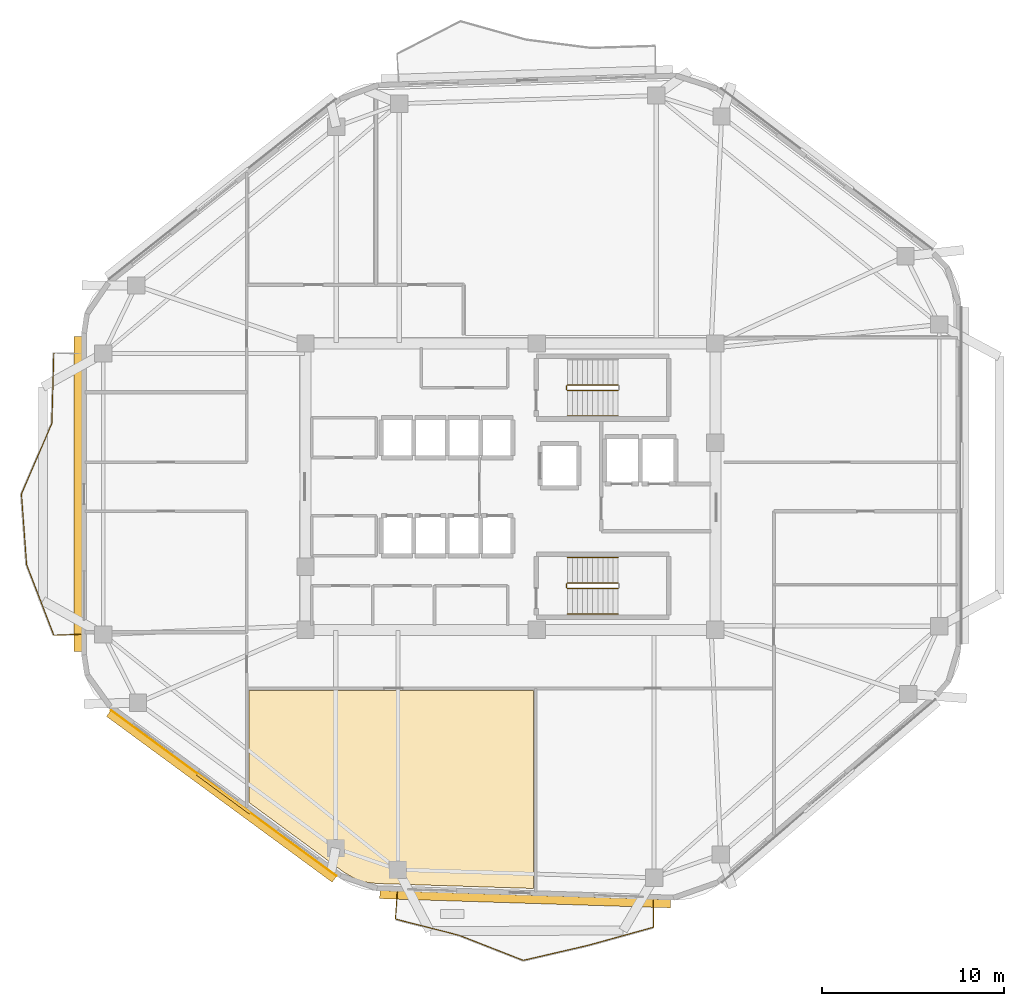
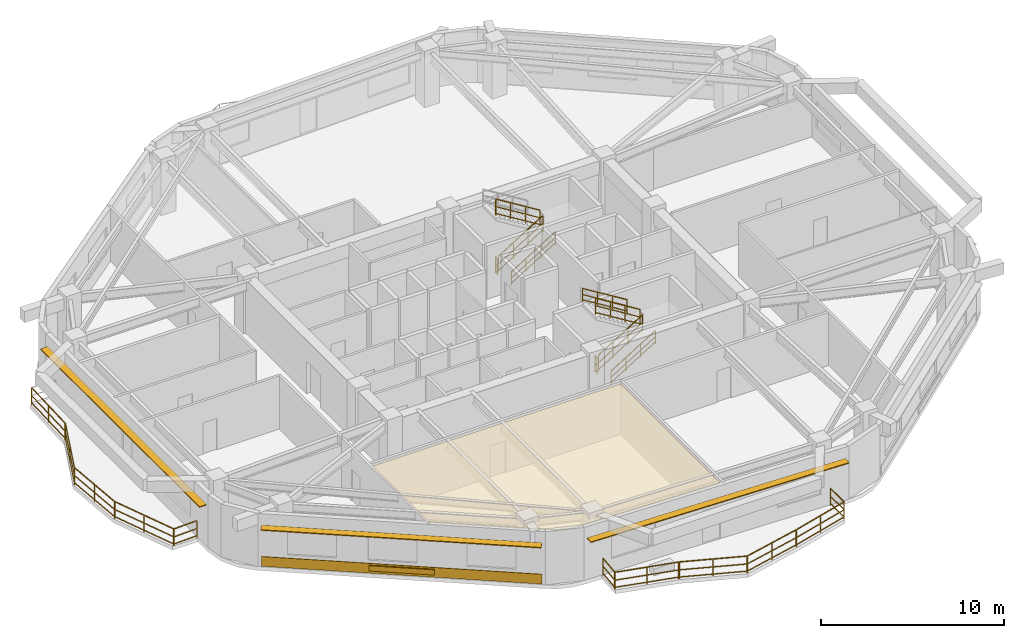
# One storey, part 7 of 9: 20 railings, 4 shading devices, 2 coverings.
"""IFC4 building model written with IfcOpenShell, lengths in metres."""

from ifc_helpers import new_model, si_unit, direction, frame, origin, origin_2d, place, context, subcontext, project, spatial, polyline, rectangle, outline, extrude, material, layer, layer_set, type_object, element, save


model = new_model("IFC4")

# Units and contexts
model_context = context("Model", 3, precision=1e-05, world=origin(), true_north=direction((0.0, 1.0)))
body_context = subcontext(model_context, "Body", "Model", "MODEL_VIEW")
ifc_project = project(units=[si_unit("LENGTHUNIT", "METRE"), si_unit("AREAUNIT", "SQUARE_METRE"), si_unit("VOLUMEUNIT", "CUBIC_METRE"), si_unit("PLANEANGLEUNIT", "RADIAN"), si_unit("MASSUNIT", "GRAM", prefix="KILO")], contexts=[model_context])

# Site, building, storey
site_placement = place(None, origin())
site = spatial("IfcSite", under=ifc_project, at=site_placement, CompositionType="ELEMENT")
building_placement = place(site_placement, origin())
building = spatial("IfcBuilding", under=site, at=building_placement, Name="Zulverin Broadcast Headquarters", CompositionType="ELEMENT")
storey_placement = place(building_placement, frame((0.0, 0.0, 189.60009765625)))
storey = spatial("IfcBuildingStorey", under=building, at=storey_placement, Name="L48", CompositionType="ELEMENT", Elevation=189.60009765625)

# Coverings
ifc_material_1 = material(Name="Perforated pale-metal acoustic baffle ceiling", Category="aluminium")
ifc_layer_1 = layer(ifc_material_1, 0.0400390625, Name="Perforated pale-metal acoustic baffle ceiling", Category="aluminium")
ifc_layer_set_1 = layer_set([ifc_layer_1], Name="Perforated pale-metal acoustic baffle ceiling")
covering_type_1 = type_object("IfcCoveringType", Name="COV-CEIL-ACOU", PredefinedType="CEILING", material=ifc_layer_set_1)
covering_1_placement = place(storey_placement, frame((0.0, 0.0, 3.35986328125)))
element("IfcCovering", 1, at=covering_1_placement, inside=storey, type_object=covering_type_1, Name="L48 Acoustic Baffle Ceiling 03", PredefinedType="CEILING", context=body_context, shape_type="SweptSolid", body=[
    extrude(outline(polyline([(28.39599609375, 3.659912109375), (29.0, 3.447998046875), (29.652099609375, 3.364013671875), (38.280029296875, 3.092041015625), (38.280029296875, 13.97998046875), (22.6201171875, 13.97998046875), (22.6201171875, 7.820068359375), (27.823974609375, 3.99609375), (28.39599609375, 3.659912109375)])), origin(), (0.0, 0.0, 1.0), 0.0400390625),
])
ifc_material_2 = material(Name="Brushed pale-aluminium rainscreen cladding", Category="aluminium")
ifc_layer_2 = layer(ifc_material_2, 0.0400390625, Name="Brushed pale-aluminium rainscreen cladding", Category="aluminium")
ifc_layer_set_2 = layer_set([ifc_layer_2], Name="Brushed pale-aluminium rainscreen cladding")
covering_type_2 = type_object("IfcCoveringType", Name="COV-CLAD-PALE", PredefinedType="CLADDING", material=ifc_layer_set_2)
covering_2_placement = place(storey_placement, frame((21.229736328125, 8.33349609375, 0.054931640625), z_axis=(0.0, 0.0, 1.0), x_axis=(0.805802206513, -0.592184771822, 0.0)))
element("IfcCovering", 2, at=covering_2_placement, inside=storey, type_object=covering_type_2, Name="L48 Brushed Pale-Aluminium Spandrel Cladding 8", PredefinedType="CLADDING", context=body_context, shape_type="SweptSolid", body=[
    extrude(rectangle(XDim=15.404541015625, YDim=0.0400390625, at=origin_2d()), origin(), (0.0, 0.0, 1.0), 0.64990234375),
])

# Railings
ifc_material_3 = material(Name="Brushed stainless steel & laminated glass balustrade", Category="steel")
railing_type_1 = type_object("IfcRailingType", Name="RL-GUARD-1150", PredefinedType="GUARDRAIL", material=ifc_material_3)
railing_1_placement = place(storey_placement, frame((11.879638671875, 32.55810546875, 0.0)))
element("IfcRailing", 3, at=railing_1_placement, inside=storey, type_object=railing_type_1, Name="L48 Vertical-Forest Balcony Guardrail BAL_W Segment 02", PredefinedType="GUARDRAIL", context=body_context, shape_type="SweptSolid", body=[
    extrude(rectangle(XDim=0.048095703125, YDim=0.048095703125, at=origin_2d()), frame((0.0, 0.0, 1.1259765625), z_axis=(-0.027898762257, -0.999610753776, 0.0), x_axis=(0.999610753776, -0.027898762257, 0.0)), (0.0, 0.0, 1.0), 3.859130859375),
    extrude(rectangle(XDim=0.0419921875, YDim=0.0419921875, at=origin_2d()), frame((0.0, 0.0, 0.597900390625), z_axis=(-0.027898762257, -0.999610753776, 0.0), x_axis=(0.999610753776, -0.027898762257, 0.0)), (0.0, 0.0, 1.0), 3.859130859375),
    extrude(rectangle(XDim=0.0419921875, YDim=0.0419921875, at=origin_2d()), frame((0.0, 0.0, 0.1201171875), z_axis=(-0.027898762257, -0.999610753776, 0.0), x_axis=(0.999610753776, -0.027898762257, 0.0)), (0.0, 0.0, 1.0), 3.859130859375),
    extrude(rectangle(XDim=0.0419921875, YDim=0.0419921875, at=origin_2d()), origin(), (0.0, 0.0, 1.0), 1.101806640625),
    extrude(rectangle(XDim=0.0419921875, YDim=0.0419921875, at=origin_2d()), frame((-0.0537109375, -1.9287109375, 0.0)), (0.0, 0.0, 1.0), 1.101806640625),
    extrude(rectangle(XDim=0.0419921875, YDim=0.0419921875, at=origin_2d()), frame((-0.107666015625, -3.857666015625, 0.0)), (0.0, 0.0, 1.0), 1.101806640625),
])
railing_2_placement = place(storey_placement, frame((11.765625, 28.671630859375, 0.0)))
element("IfcRailing", 4, at=railing_2_placement, inside=storey, type_object=railing_type_1, Name="L48 Vertical-Forest Balcony Guardrail BAL_W Segment 03", PredefinedType="GUARDRAIL", context=body_context, shape_type="SweptSolid", body=[
    extrude(rectangle(XDim=0.048095703125, YDim=0.048095703125, at=origin_2d()), frame((0.0, 0.0, 1.1259765625), z_axis=(-0.395510074338, -0.918461638337, 0.0), x_axis=(0.918461638337, -0.395510074338, 0.0)), (0.0, 0.0, 1.0), 4.203125),
    extrude(rectangle(XDim=0.0419921875, YDim=0.0419921875, at=origin_2d()), frame((0.0, 0.0, 0.597900390625), z_axis=(-0.395510074338, -0.918461638337, 0.0), x_axis=(0.918461638337, -0.395510074338, 0.0)), (0.0, 0.0, 1.0), 4.203125),
    extrude(rectangle(XDim=0.0419921875, YDim=0.0419921875, at=origin_2d()), frame((0.0, 0.0, 0.1201171875), z_axis=(-0.395510074338, -0.918461638337, 0.0), x_axis=(0.918461638337, -0.395510074338, 0.0)), (0.0, 0.0, 1.0), 4.203125),
    extrude(rectangle(XDim=0.0419921875, YDim=0.0419921875, at=origin_2d()), origin(), (0.0, 0.0, 1.0), 1.101806640625),
    extrude(rectangle(XDim=0.0419921875, YDim=0.0419921875, at=origin_2d()), frame((-0.8310546875, -1.93017578125, 0.0)), (0.0, 0.0, 1.0), 1.101806640625),
    extrude(rectangle(XDim=0.0419921875, YDim=0.0419921875, at=origin_2d()), frame((-1.662353515625, -3.8603515625, 0.0)), (0.0, 0.0, 1.0), 1.101806640625),
])
railing_3_placement = place(storey_placement, frame((10.098388671875, 24.78271484375, 0.0)))
element("IfcRailing", 5, at=railing_3_placement, inside=storey, type_object=railing_type_1, Name="L48 Vertical-Forest Balcony Guardrail BAL_W Segment 04", PredefinedType="GUARDRAIL", context=body_context, shape_type="SweptSolid", body=[
    extrude(rectangle(XDim=0.048095703125, YDim=0.048095703125, at=origin_2d()), frame((0.0, 0.0, 1.1259765625), z_axis=(0.072960326509, -0.997334843849, 0.0), x_axis=(0.997334843849, 0.072960326509, 0.0)), (0.0, 0.0, 1.0), 3.8681640625),
    extrude(rectangle(XDim=0.0419921875, YDim=0.0419921875, at=origin_2d()), frame((0.0, 0.0, 0.597900390625), z_axis=(0.072960326509, -0.997334843849, 0.0), x_axis=(0.997334843849, 0.072960326509, 0.0)), (0.0, 0.0, 1.0), 3.8681640625),
    extrude(rectangle(XDim=0.0419921875, YDim=0.0419921875, at=origin_2d()), frame((0.0, 0.0, 0.1201171875), z_axis=(0.072960326509, -0.997334843849, 0.0), x_axis=(0.997334843849, 0.072960326509, 0.0)), (0.0, 0.0, 1.0), 3.8681640625),
    extrude(rectangle(XDim=0.0419921875, YDim=0.0419921875, at=origin_2d()), origin(), (0.0, 0.0, 1.0), 1.101806640625),
    extrude(rectangle(XDim=0.0419921875, YDim=0.0419921875, at=origin_2d()), frame((0.14111328125, -1.928955078125, 0.0)), (0.0, 0.0, 1.0), 1.101806640625),
    extrude(rectangle(XDim=0.0419921875, YDim=0.0419921875, at=origin_2d()), frame((0.2822265625, -3.85791015625, 0.0)), (0.0, 0.0, 1.0), 1.101806640625),
])
railing_4_placement = place(storey_placement, frame((10.38720703125, 20.895751953125, 0.0)))
element("IfcRailing", 6, at=railing_4_placement, inside=storey, type_object=railing_type_1, Name="L48 Vertical-Forest Balcony Guardrail BAL_W Segment 05", PredefinedType="GUARDRAIL", context=body_context, shape_type="SweptSolid", body=[
    extrude(rectangle(XDim=0.048095703125, YDim=0.048095703125, at=origin_2d()), frame((0.0, 0.0, 1.1259765625), z_axis=(0.359556443688, -0.933123337937, 0.0), x_axis=(0.933123337937, 0.359556443688, 0.0)), (0.0, 0.0, 1.0), 4.136474609375),
    extrude(rectangle(XDim=0.0419921875, YDim=0.0419921875, at=origin_2d()), frame((0.0, 0.0, 0.597900390625), z_axis=(0.359556443688, -0.933123337937, 0.0), x_axis=(0.933123337937, 0.359556443688, 0.0)), (0.0, 0.0, 1.0), 4.136474609375),
    extrude(rectangle(XDim=0.0419921875, YDim=0.0419921875, at=origin_2d()), frame((0.0, 0.0, 0.1201171875), z_axis=(0.359556443688, -0.933123337937, 0.0), x_axis=(0.933123337937, 0.359556443688, 0.0)), (0.0, 0.0, 1.0), 4.136474609375),
    extrude(rectangle(XDim=0.0419921875, YDim=0.0419921875, at=origin_2d()), origin(), (0.0, 0.0, 1.0), 1.101806640625),
    extrude(rectangle(XDim=0.0419921875, YDim=0.0419921875, at=origin_2d()), frame((0.74365234375, -1.929931640625, 0.0)), (0.0, 0.0, 1.0), 1.101806640625),
    extrude(rectangle(XDim=0.0419921875, YDim=0.0419921875, at=origin_2d()), frame((1.4873046875, -3.85986328125, 0.0)), (0.0, 0.0, 1.0), 1.101806640625),
])
railing_5_placement = place(storey_placement, frame((11.89501953125, 17.0224609375, 0.0)))
element("IfcRailing", 7, at=railing_5_placement, inside=storey, type_object=railing_type_1, Name="L48 Vertical-Forest Balcony Guardrail BAL_W Segment 06", PredefinedType="GUARDRAIL", context=body_context, shape_type="SweptSolid", body=[
    extrude(rectangle(XDim=0.048095703125, YDim=0.048095703125, at=origin_2d()), frame((0.0, 0.0, 1.1259765625), z_axis=(0.999181155166, 0.040460093435, 0.0), x_axis=(-0.040460093435, 0.999181155166, 0.0)), (0.0, 0.0, 1.0), 1.46630859375),
    extrude(rectangle(XDim=0.0419921875, YDim=0.0419921875, at=origin_2d()), frame((0.0, 0.0, 0.597900390625), z_axis=(0.999181155166, 0.040460093435, 0.0), x_axis=(-0.040460093435, 0.999181155166, 0.0)), (0.0, 0.0, 1.0), 1.46630859375),
    extrude(rectangle(XDim=0.0419921875, YDim=0.0419921875, at=origin_2d()), frame((0.0, 0.0, 0.1201171875), z_axis=(0.999181155166, 0.040460093435, 0.0), x_axis=(-0.040460093435, 0.999181155166, 0.0)), (0.0, 0.0, 1.0), 1.46630859375),
    extrude(rectangle(XDim=0.0419921875, YDim=0.0419921875, at=origin_2d()), origin(), (0.0, 0.0, 1.0), 1.101806640625),
    extrude(rectangle(XDim=0.0419921875, YDim=0.0419921875, at=origin_2d()), frame((1.465087890625, 0.059326171875, 0.0)), (0.0, 0.0, 1.0), 1.101806640625),
])
railing_6_placement = place(storey_placement, frame((30.779296875, 2.8876953125, 0.0)))
element("IfcRailing", 8, at=railing_6_placement, inside=storey, type_object=railing_type_1, Name="L48 Vertical-Forest Balcony Guardrail BAL_S Segment 01", PredefinedType="GUARDRAIL", context=body_context, shape_type="SweptSolid", body=[
    extrude(rectangle(XDim=0.048095703125, YDim=0.048095703125, at=origin_2d()), frame((0.0, 0.0, 1.1259765625), z_axis=(-0.072276661537, -0.997384621997, 0.0), x_axis=(0.997384621997, -0.072276661537, 0.0)), (0.0, 0.0, 1.0), 1.466064453125),
    extrude(rectangle(XDim=0.0419921875, YDim=0.0419921875, at=origin_2d()), frame((0.0, 0.0, 0.597900390625), z_axis=(-0.072276661537, -0.997384621997, 0.0), x_axis=(0.997384621997, -0.072276661537, 0.0)), (0.0, 0.0, 1.0), 1.466064453125),
    extrude(rectangle(XDim=0.0419921875, YDim=0.0419921875, at=origin_2d()), frame((0.0, 0.0, 0.1201171875), z_axis=(-0.072276661537, -0.997384621997, 0.0), x_axis=(0.997384621997, -0.072276661537, 0.0)), (0.0, 0.0, 1.0), 1.466064453125),
    extrude(rectangle(XDim=0.0419921875, YDim=0.0419921875, at=origin_2d()), origin(), (0.0, 0.0, 1.0), 1.101806640625),
    extrude(rectangle(XDim=0.0419921875, YDim=0.0419921875, at=origin_2d()), frame((-0.10595703125, -1.462158203125, 0.0)), (0.0, 0.0, 1.0), 1.101806640625),
])
railing_7_placement = place(storey_placement, frame((30.686767578125, 1.40673828125, 0.0)))
element("IfcRailing", 9, at=railing_7_placement, inside=storey, type_object=railing_type_1, Name="L48 Vertical-Forest Balcony Guardrail BAL_S Segment 02", PredefinedType="GUARDRAIL", context=body_context, shape_type="SweptSolid", body=[
    extrude(rectangle(XDim=0.048095703125, YDim=0.048095703125, at=origin_2d()), frame((0.0, 0.0, 1.1259765625), z_axis=(0.968892172976, -0.247483246194, 0.0), x_axis=(0.247483246194, 0.968892172976, 0.0)), (0.0, 0.0, 1.0), 3.608642578125),
    extrude(rectangle(XDim=0.0419921875, YDim=0.0419921875, at=origin_2d()), frame((0.0, 0.0, 0.597900390625), z_axis=(0.968892172976, -0.247483246194, 0.0), x_axis=(0.247483246194, 0.968892172976, 0.0)), (0.0, 0.0, 1.0), 3.608642578125),
    extrude(rectangle(XDim=0.0419921875, YDim=0.0419921875, at=origin_2d()), frame((0.0, 0.0, 0.1201171875), z_axis=(0.968892172976, -0.247483246194, 0.0), x_axis=(0.247483246194, 0.968892172976, 0.0)), (0.0, 0.0, 1.0), 3.608642578125),
    extrude(rectangle(XDim=0.0419921875, YDim=0.0419921875, at=origin_2d()), origin(), (0.0, 0.0, 1.0), 1.101806640625),
    extrude(rectangle(XDim=0.0419921875, YDim=0.0419921875, at=origin_2d()), frame((1.748046875, -0.446533203125, 0.0)), (0.0, 0.0, 1.0), 1.101806640625),
    extrude(rectangle(XDim=0.0419921875, YDim=0.0419921875, at=origin_2d()), frame((3.496337890625, -0.89306640625, 0.0)), (0.0, 0.0, 1.0), 1.101806640625),
])
railing_8_placement = place(storey_placement, frame((34.211669921875, 0.50439453125, 0.0)))
element("IfcRailing", 10, at=railing_8_placement, inside=storey, type_object=railing_type_1, Name="L48 Vertical-Forest Balcony Guardrail BAL_S Segment 03", PredefinedType="GUARDRAIL", context=body_context, shape_type="SweptSolid", body=[
    extrude(rectangle(XDim=0.048095703125, YDim=0.048095703125, at=origin_2d()), frame((0.0, 0.0, 1.1259765625), z_axis=(0.931246632898, -0.364389501381, 0.0), x_axis=(0.364389501381, 0.931246632898, 0.0)), (0.0, 0.0, 1.0), 3.7392578125),
    extrude(rectangle(XDim=0.0419921875, YDim=0.0419921875, at=origin_2d()), frame((0.0, 0.0, 0.597900390625), z_axis=(0.931246632898, -0.364389501381, 0.0), x_axis=(0.364389501381, 0.931246632898, 0.0)), (0.0, 0.0, 1.0), 3.7392578125),
    extrude(rectangle(XDim=0.0419921875, YDim=0.0419921875, at=origin_2d()), frame((0.0, 0.0, 0.1201171875), z_axis=(0.931246632898, -0.364389501381, 0.0), x_axis=(0.364389501381, 0.931246632898, 0.0)), (0.0, 0.0, 1.0), 3.7392578125),
    extrude(rectangle(XDim=0.0419921875, YDim=0.0419921875, at=origin_2d()), origin(), (0.0, 0.0, 1.0), 1.101806640625),
    extrude(rectangle(XDim=0.0419921875, YDim=0.0419921875, at=origin_2d()), frame((1.7412109375, -0.68115234375, 0.0)), (0.0, 0.0, 1.0), 1.101806640625),
    extrude(rectangle(XDim=0.0419921875, YDim=0.0419921875, at=origin_2d()), frame((3.482177734375, -1.362548828125, 0.0)), (0.0, 0.0, 1.0), 1.101806640625),
])
railing_9_placement = place(storey_placement, frame((37.722412109375, -0.8603515625, 0.0)))
element("IfcRailing", 11, at=railing_9_placement, inside=storey, type_object=railing_type_1, Name="L48 Vertical-Forest Balcony Guardrail BAL_S Segment 04", PredefinedType="GUARDRAIL", context=body_context, shape_type="SweptSolid", body=[
    extrude(rectangle(XDim=0.048095703125, YDim=0.048095703125, at=origin_2d()), frame((0.0, 0.0, 1.1259765625), z_axis=(0.974134331739, 0.225969696479, 0.0), x_axis=(-0.225969696479, 0.974134331739, 0.0)), (0.0, 0.0, 1.0), 3.645263671875),
    extrude(rectangle(XDim=0.0419921875, YDim=0.0419921875, at=origin_2d()), frame((0.0, 0.0, 0.597900390625), z_axis=(0.974134331739, 0.225969696479, 0.0), x_axis=(-0.225969696479, 0.974134331739, 0.0)), (0.0, 0.0, 1.0), 3.645263671875),
    extrude(rectangle(XDim=0.0419921875, YDim=0.0419921875, at=origin_2d()), frame((0.0, 0.0, 0.1201171875), z_axis=(0.974134331739, 0.225969696479, 0.0), x_axis=(-0.225969696479, 0.974134331739, 0.0)), (0.0, 0.0, 1.0), 3.645263671875),
    extrude(rectangle(XDim=0.0419921875, YDim=0.0419921875, at=origin_2d()), origin(), (0.0, 0.0, 1.0), 1.101806640625),
    extrude(rectangle(XDim=0.0419921875, YDim=0.0419921875, at=origin_2d()), frame((1.775390625, 0.411865234375, 0.0)), (0.0, 0.0, 1.0), 1.101806640625),
    extrude(rectangle(XDim=0.0419921875, YDim=0.0419921875, at=origin_2d()), frame((3.551025390625, 0.82373046875, 0.0)), (0.0, 0.0, 1.0), 1.101806640625),
])
railing_10_placement = place(storey_placement, frame((41.302490234375, -0.029296875, 0.0)))
element("IfcRailing", 12, at=railing_10_placement, inside=storey, type_object=railing_type_1, Name="L48 Vertical-Forest Balcony Guardrail BAL_S Segment 05", PredefinedType="GUARDRAIL", context=body_context, shape_type="SweptSolid", body=[
    extrude(rectangle(XDim=0.048095703125, YDim=0.048095703125, at=origin_2d()), frame((0.0, 0.0, 1.1259765625), z_axis=(0.963694935876, 0.267005750065, 0.0), x_axis=(-0.267005750065, 0.963694935876, 0.0)), (0.0, 0.0, 1.0), 3.6904296875),
    extrude(rectangle(XDim=0.0419921875, YDim=0.0419921875, at=origin_2d()), frame((0.0, 0.0, 0.597900390625), z_axis=(0.963694935876, 0.267005750065, 0.0), x_axis=(-0.267005750065, 0.963694935876, 0.0)), (0.0, 0.0, 1.0), 3.6904296875),
    extrude(rectangle(XDim=0.0419921875, YDim=0.0419921875, at=origin_2d()), frame((0.0, 0.0, 0.1201171875), z_axis=(0.963694935876, 0.267005750065, 0.0), x_axis=(-0.267005750065, 0.963694935876, 0.0)), (0.0, 0.0, 1.0), 3.6904296875),
    extrude(rectangle(XDim=0.0419921875, YDim=0.0419921875, at=origin_2d()), origin(), (0.0, 0.0, 1.0), 1.101806640625),
    extrude(rectangle(XDim=0.0419921875, YDim=0.0419921875, at=origin_2d()), frame((1.7783203125, 0.49267578125, 0.0)), (0.0, 0.0, 1.0), 1.101806640625),
    extrude(rectangle(XDim=0.0419921875, YDim=0.0419921875, at=origin_2d()), frame((3.556396484375, 0.9853515625, 0.0)), (0.0, 0.0, 1.0), 1.101806640625),
])
railing_11_placement = place(storey_placement, frame((44.873291015625, 0.97509765625, 0.0)))
element("IfcRailing", 13, at=railing_11_placement, inside=storey, type_object=railing_type_1, Name="L48 Vertical-Forest Balcony Guardrail BAL_S Segment 06", PredefinedType="GUARDRAIL", context=body_context, shape_type="SweptSolid", body=[
    extrude(rectangle(XDim=0.048095703125, YDim=0.048095703125, at=origin_2d()), frame((0.0, 0.0, 1.1259765625), z_axis=(-0.008659125807, 0.999962509067, 0.0), x_axis=(-0.999962509067, -0.008659125807, 0.0)), (0.0, 0.0, 1.0), 1.466064453125),
    extrude(rectangle(XDim=0.0419921875, YDim=0.0419921875, at=origin_2d()), frame((0.0, 0.0, 0.597900390625), z_axis=(-0.008659125807, 0.999962509067, 0.0), x_axis=(-0.999962509067, -0.008659125807, 0.0)), (0.0, 0.0, 1.0), 1.466064453125),
    extrude(rectangle(XDim=0.0419921875, YDim=0.0419921875, at=origin_2d()), frame((0.0, 0.0, 0.1201171875), z_axis=(-0.008659125807, 0.999962509067, 0.0), x_axis=(-0.999962509067, -0.008659125807, 0.0)), (0.0, 0.0, 1.0), 1.466064453125),
    extrude(rectangle(XDim=0.0419921875, YDim=0.0419921875, at=origin_2d()), origin(), (0.0, 0.0, 1.0), 1.101806640625),
    extrude(rectangle(XDim=0.0419921875, YDim=0.0419921875, at=origin_2d()), frame((-0.0126953125, 1.466064453125, 0.0)), (0.0, 0.0, 1.0), 1.101806640625),
])
ifc_material_4 = material(Name="Painted galvanized steel tubular guardrail S355JR", Category="steel")
railing_type_2 = type_object("IfcRailingType", Name="RL-ST-GUARD", PredefinedType="GUARDRAIL", material=ifc_material_4)
railing_12_placement = place(storey_placement, frame((40.1298828125, 30.5, 0.172607421875)))
element("IfcRailing", 14, at=railing_12_placement, inside=storey, type_object=railing_type_2, Name="L48 ST-1 stair guard 1", PredefinedType="GUARDRAIL", context=body_context, shape_type="SweptSolid", body=[
    extrude(rectangle(XDim=0.048095703125, YDim=0.048095703125, at=origin_2d()), frame((0.0, 0.0, 1.076171875), z_axis=(0.851089632645, 0.0, 0.525020415988), x_axis=(0.0, 1.0, 0.0)), (0.0, 0.0, 1.0), 3.2900390625),
    extrude(rectangle(XDim=0.0419921875, YDim=0.0419921875, at=origin_2d()), frame((0.0, 0.0, 0.572021484375), z_axis=(0.851089632645, 0.0, 0.525020415988), x_axis=(0.0, 1.0, 0.0)), (0.0, 0.0, 1.0), 3.2900390625),
    extrude(rectangle(XDim=0.0419921875, YDim=0.0419921875, at=origin_2d()), frame((0.0, 0.0, 0.1201171875), z_axis=(0.851089632645, 0.0, 0.525020415988), x_axis=(0.0, 1.0, 0.0)), (0.0, 0.0, 1.0), 3.2900390625),
    extrude(rectangle(XDim=0.0419921875, YDim=0.0419921875, at=origin_2d()), origin(), (0.0, 0.0, 1.0), 1.052001953125),
    extrude(rectangle(XDim=0.0419921875, YDim=0.0419921875, at=origin_2d()), frame((0.933349609375, 0.0, 0.57568359375)), (0.0, 0.0, 1.0), 1.052001953125),
    extrude(rectangle(XDim=0.0419921875, YDim=0.0419921875, at=origin_2d()), frame((1.86669921875, 0.0, 1.151611328125)), (0.0, 0.0, 1.0), 1.052001953125),
    extrude(rectangle(XDim=0.0419921875, YDim=0.0419921875, at=origin_2d()), frame((2.800048828125, 0.0, 1.727294921875)), (0.0, 0.0, 1.0), 1.052001953125),
])
railing_13_placement = place(storey_placement, frame((42.929931640625, 30.800048828125, 2.072509765625)))
element("IfcRailing", 15, at=railing_13_placement, inside=storey, type_object=railing_type_2, Name="L48 ST-1 stair guard 3", PredefinedType="GUARDRAIL", context=body_context, shape_type="SweptSolid", body=[
    extrude(rectangle(XDim=0.048095703125, YDim=0.048095703125, at=origin_2d()), frame((0.0, 0.0, 1.076171875), z_axis=(-0.851089632645, 0.0, 0.525020415988), x_axis=(0.0, -1.0, 0.0)), (0.0, 0.0, 1.0), 3.2900390625),
    extrude(rectangle(XDim=0.0419921875, YDim=0.0419921875, at=origin_2d()), frame((0.0, 0.0, 0.572021484375), z_axis=(-0.851089632645, 0.0, 0.525020415988), x_axis=(0.0, -1.0, 0.0)), (0.0, 0.0, 1.0), 3.2900390625),
    extrude(rectangle(XDim=0.0419921875, YDim=0.0419921875, at=origin_2d()), frame((0.0, 0.0, 0.1201171875), z_axis=(-0.851089632645, 0.0, 0.525020415988), x_axis=(0.0, -1.0, 0.0)), (0.0, 0.0, 1.0), 3.2900390625),
    extrude(rectangle(XDim=0.0419921875, YDim=0.0419921875, at=origin_2d()), origin(), (0.0, 0.0, 1.0), 1.052001953125),
    extrude(rectangle(XDim=0.0419921875, YDim=0.0419921875, at=origin_2d()), frame((-0.933349609375, 0.0, 0.57568359375)), (0.0, 0.0, 1.0), 1.052001953125),
    extrude(rectangle(XDim=0.0419921875, YDim=0.0419921875, at=origin_2d()), frame((-1.86669921875, 0.0, 1.151611328125)), (0.0, 0.0, 1.0), 1.052001953125),
    extrude(rectangle(XDim=0.0419921875, YDim=0.0419921875, at=origin_2d()), frame((-2.800048828125, 0.0, 1.727294921875)), (0.0, 0.0, 1.0), 1.052001953125),
])
railing_14_placement = place(storey_placement, frame((40.080078125, 30.550048828125, 0.0)))
element("IfcRailing", 16, at=railing_14_placement, inside=storey, type_object=railing_type_2, Name="L48 ST-1 stair guard 4", PredefinedType="GUARDRAIL", context=body_context, shape_type="SweptSolid", body=[
    extrude(rectangle(XDim=0.048095703125, YDim=0.048095703125, at=origin_2d()), frame((0.0, 0.0, 1.076171875), z_axis=(0.0, 1.0, 0.0), x_axis=(-1.0, 0.0, 0.0)), (0.0, 0.0, 1.0), 0.199951171875),
    extrude(rectangle(XDim=0.0419921875, YDim=0.0419921875, at=origin_2d()), frame((0.0, 0.0, 0.572021484375), z_axis=(0.0, 1.0, 0.0), x_axis=(-1.0, 0.0, 0.0)), (0.0, 0.0, 1.0), 0.199951171875),
    extrude(rectangle(XDim=0.0419921875, YDim=0.0419921875, at=origin_2d()), frame((0.0, 0.0, 0.1201171875), z_axis=(0.0, 1.0, 0.0), x_axis=(-1.0, 0.0, 0.0)), (0.0, 0.0, 1.0), 0.199951171875),
    extrude(rectangle(XDim=0.0419921875, YDim=0.0419921875, at=origin_2d()), origin(), (0.0, 0.0, 1.0), 1.052001953125),
    extrude(rectangle(XDim=0.0419921875, YDim=0.0419921875, at=origin_2d()), frame((0.0, 0.199951171875, 0.0)), (0.0, 0.0, 1.0), 1.052001953125),
])
railing_15_placement = place(storey_placement, frame((40.1298828125, 19.60009765625, 0.172607421875)))
element("IfcRailing", 17, at=railing_15_placement, inside=storey, type_object=railing_type_2, Name="L48 ST-2 stair guard 1", PredefinedType="GUARDRAIL", context=body_context, shape_type="SweptSolid", body=[
    extrude(rectangle(XDim=0.048095703125, YDim=0.048095703125, at=origin_2d()), frame((0.0, 0.0, 1.076171875), z_axis=(0.851089632645, 0.0, 0.525020415988), x_axis=(0.0, 1.0, 0.0)), (0.0, 0.0, 1.0), 3.2900390625),
    extrude(rectangle(XDim=0.0419921875, YDim=0.0419921875, at=origin_2d()), frame((0.0, 0.0, 0.572021484375), z_axis=(0.851089632645, 0.0, 0.525020415988), x_axis=(0.0, 1.0, 0.0)), (0.0, 0.0, 1.0), 3.2900390625),
    extrude(rectangle(XDim=0.0419921875, YDim=0.0419921875, at=origin_2d()), frame((0.0, 0.0, 0.1201171875), z_axis=(0.851089632645, 0.0, 0.525020415988), x_axis=(0.0, 1.0, 0.0)), (0.0, 0.0, 1.0), 3.2900390625),
    extrude(rectangle(XDim=0.0419921875, YDim=0.0419921875, at=origin_2d()), origin(), (0.0, 0.0, 1.0), 1.052001953125),
    extrude(rectangle(XDim=0.0419921875, YDim=0.0419921875, at=origin_2d()), frame((0.933349609375, 0.0, 0.57568359375)), (0.0, 0.0, 1.0), 1.052001953125),
    extrude(rectangle(XDim=0.0419921875, YDim=0.0419921875, at=origin_2d()), frame((1.86669921875, 0.0, 1.151611328125)), (0.0, 0.0, 1.0), 1.052001953125),
    extrude(rectangle(XDim=0.0419921875, YDim=0.0419921875, at=origin_2d()), frame((2.800048828125, 0.0, 1.727294921875)), (0.0, 0.0, 1.0), 1.052001953125),
])
railing_16_placement = place(storey_placement, frame((42.929931640625, 19.89990234375, 2.072509765625)))
element("IfcRailing", 18, at=railing_16_placement, inside=storey, type_object=railing_type_2, Name="L48 ST-2 stair guard 3", PredefinedType="GUARDRAIL", context=body_context, shape_type="SweptSolid", body=[
    extrude(rectangle(XDim=0.048095703125, YDim=0.048095703125, at=origin_2d()), frame((0.0, 0.0, 1.076171875), z_axis=(-0.851089632645, 0.0, 0.525020415988), x_axis=(0.0, -1.0, 0.0)), (0.0, 0.0, 1.0), 3.2900390625),
    extrude(rectangle(XDim=0.0419921875, YDim=0.0419921875, at=origin_2d()), frame((0.0, 0.0, 0.572021484375), z_axis=(-0.851089632645, 0.0, 0.525020415988), x_axis=(0.0, -1.0, 0.0)), (0.0, 0.0, 1.0), 3.2900390625),
    extrude(rectangle(XDim=0.0419921875, YDim=0.0419921875, at=origin_2d()), frame((0.0, 0.0, 0.1201171875), z_axis=(-0.851089632645, 0.0, 0.525020415988), x_axis=(0.0, -1.0, 0.0)), (0.0, 0.0, 1.0), 3.2900390625),
    extrude(rectangle(XDim=0.0419921875, YDim=0.0419921875, at=origin_2d()), origin(), (0.0, 0.0, 1.0), 1.052001953125),
    extrude(rectangle(XDim=0.0419921875, YDim=0.0419921875, at=origin_2d()), frame((-0.933349609375, 0.0, 0.57568359375)), (0.0, 0.0, 1.0), 1.052001953125),
    extrude(rectangle(XDim=0.0419921875, YDim=0.0419921875, at=origin_2d()), frame((-1.86669921875, 0.0, 1.151611328125)), (0.0, 0.0, 1.0), 1.052001953125),
    extrude(rectangle(XDim=0.0419921875, YDim=0.0419921875, at=origin_2d()), frame((-2.800048828125, 0.0, 1.727294921875)), (0.0, 0.0, 1.0), 1.052001953125),
])
railing_17_placement = place(storey_placement, frame((40.080078125, 19.64990234375, 0.0)))
element("IfcRailing", 19, at=railing_17_placement, inside=storey, type_object=railing_type_2, Name="L48 ST-2 stair guard 4", PredefinedType="GUARDRAIL", context=body_context, shape_type="SweptSolid", body=[
    extrude(rectangle(XDim=0.048095703125, YDim=0.048095703125, at=origin_2d()), frame((0.0, 0.0, 1.076171875), z_axis=(0.0, 1.0, 0.0), x_axis=(-1.0, 0.0, 0.0)), (0.0, 0.0, 1.0), 0.2001953125),
    extrude(rectangle(XDim=0.0419921875, YDim=0.0419921875, at=origin_2d()), frame((0.0, 0.0, 0.572021484375), z_axis=(0.0, 1.0, 0.0), x_axis=(-1.0, 0.0, 0.0)), (0.0, 0.0, 1.0), 0.2001953125),
    extrude(rectangle(XDim=0.0419921875, YDim=0.0419921875, at=origin_2d()), frame((0.0, 0.0, 0.1201171875), z_axis=(0.0, 1.0, 0.0), x_axis=(-1.0, 0.0, 0.0)), (0.0, 0.0, 1.0), 0.2001953125),
    extrude(rectangle(XDim=0.0419921875, YDim=0.0419921875, at=origin_2d()), origin(), (0.0, 0.0, 1.0), 1.052001953125),
    extrude(rectangle(XDim=0.0419921875, YDim=0.0419921875, at=origin_2d()), frame((0.0, 0.2001953125, 0.0)), (0.0, 0.0, 1.0), 1.052001953125),
])
ifc_material_5 = material(Name="Brushed stainless steel 48 mm handrail", Category="steel")
railing_type_3 = type_object("IfcRailingType", Name="RL-ST-HAND", PredefinedType="HANDRAIL", material=ifc_material_5)
for number, where, name in (
    (20, (40.1298828125, 29.10009765625, 0.172607421875), "L48 ST-1 stair handrail 1"),
    (21, (40.1298828125, 18.199951171875, 0.172607421875), "L48 ST-2 stair handrail 1"),
):
    element("IfcRailing", number, at=place(storey_placement, frame(where)), inside=storey, type_object=railing_type_3, Name=name, PredefinedType="HANDRAIL", context=body_context, shape_type="SweptSolid", body=[
        extrude(rectangle(XDim=0.048095703125, YDim=0.048095703125, at=origin_2d()), frame((0.0, 0.0, 0.8759765625), z_axis=(0.851089632645, 0.0, 0.525020415988), x_axis=(0.0, 1.0, 0.0)), (0.0, 0.0, 1.0), 3.2900390625),
        extrude(rectangle(XDim=0.0419921875, YDim=0.0419921875, at=origin_2d()), frame((0.0, 0.0, 0.468017578125), z_axis=(0.851089632645, 0.0, 0.525020415988), x_axis=(0.0, 1.0, 0.0)), (0.0, 0.0, 1.0), 3.2900390625),
        extrude(rectangle(XDim=0.0419921875, YDim=0.0419921875, at=origin_2d()), frame((0.0, 0.0, 0.1201171875), z_axis=(0.851089632645, 0.0, 0.525020415988), x_axis=(0.0, 1.0, 0.0)), (0.0, 0.0, 1.0), 3.2900390625),
        extrude(rectangle(XDim=0.0419921875, YDim=0.0419921875, at=origin_2d()), origin(), (0.0, 0.0, 1.0), 0.851806640625),
        extrude(rectangle(XDim=0.0419921875, YDim=0.0419921875, at=origin_2d()), frame((0.933349609375, 0.0, 0.57568359375)), (0.0, 0.0, 1.0), 0.851806640625),
        extrude(rectangle(XDim=0.0419921875, YDim=0.0419921875, at=origin_2d()), frame((1.86669921875, 0.0, 1.151611328125)), (0.0, 0.0, 1.0), 0.851806640625),
        extrude(rectangle(XDim=0.0419921875, YDim=0.0419921875, at=origin_2d()), frame((2.800048828125, 0.0, 1.727294921875)), (0.0, 0.0, 1.0), 0.851806640625),
    ])
railing_18_placement = place(storey_placement, frame((42.929931640625, 21.300048828125, 2.072509765625)))
element("IfcRailing", 22, at=railing_18_placement, inside=storey, type_object=railing_type_3, Name="L48 ST-2 stair handrail 2", PredefinedType="HANDRAIL", context=body_context, shape_type="SweptSolid", body=[
    extrude(rectangle(XDim=0.048095703125, YDim=0.048095703125, at=origin_2d()), frame((0.0, 0.0, 0.8759765625), z_axis=(-0.851089632645, 0.0, 0.525020415988), x_axis=(0.0, -1.0, 0.0)), (0.0, 0.0, 1.0), 3.2900390625),
    extrude(rectangle(XDim=0.0419921875, YDim=0.0419921875, at=origin_2d()), frame((0.0, 0.0, 0.468017578125), z_axis=(-0.851089632645, 0.0, 0.525020415988), x_axis=(0.0, -1.0, 0.0)), (0.0, 0.0, 1.0), 3.2900390625),
    extrude(rectangle(XDim=0.0419921875, YDim=0.0419921875, at=origin_2d()), frame((0.0, 0.0, 0.1201171875), z_axis=(-0.851089632645, 0.0, 0.525020415988), x_axis=(0.0, -1.0, 0.0)), (0.0, 0.0, 1.0), 3.2900390625),
    extrude(rectangle(XDim=0.0419921875, YDim=0.0419921875, at=origin_2d()), origin(), (0.0, 0.0, 1.0), 0.851806640625),
    extrude(rectangle(XDim=0.0419921875, YDim=0.0419921875, at=origin_2d()), frame((-0.933349609375, 0.0, 0.57568359375)), (0.0, 0.0, 1.0), 0.851806640625),
    extrude(rectangle(XDim=0.0419921875, YDim=0.0419921875, at=origin_2d()), frame((-1.86669921875, 0.0, 1.151611328125)), (0.0, 0.0, 1.0), 0.851806640625),
    extrude(rectangle(XDim=0.0419921875, YDim=0.0419921875, at=origin_2d()), frame((-2.800048828125, 0.0, 1.727294921875)), (0.0, 0.0, 1.0), 0.851806640625),
])

# Shading devices
ifc_material_6 = material(Name="Anodized pale-metal aluminium acoustic louvre", Category="aluminium")
shading_device_type_1 = type_object("IfcShadingDeviceType", Name="SHD-LOUVRE-350", PredefinedType="USERDEFINED", material=ifc_material_6)
shading_device_1_placement = place(storey_placement, frame((21.212158203125, 8.309326171875, 0.244873046875), z_axis=(0.0, 0.0, 1.0), x_axis=(0.805802206513, -0.592184771822, 0.0)))
element("IfcShadingDevice", 23, at=shading_device_1_placement, inside=storey, type_object=shading_device_type_1, Name="L48 Spandrel Intake Louvre 8", ObjectType="LOUVRE", PredefinedType="USERDEFINED", context=body_context, shape_type="SweptSolid", body=[
    extrude(rectangle(XDim=3.60009765625, YDim=0.1201171875, at=origin_2d()), origin(), (0.0, 0.0, 1.0), 0.35009765625),
])
ifc_material_7 = material(Name="Anodized pale-metal aluminium sunshade", Category="aluminium")
ifc_layer_3 = layer(ifc_material_7, 0.06005859375, Name="Anodized pale-metal aluminium sunshade", Category="aluminium")
ifc_layer_set_3 = layer_set([ifc_layer_3], Name="Anodized pale-metal aluminium sunshade")
shading_device_type_2 = type_object("IfcShadingDeviceType", Name="SS-01_PALE_METAL_ALUMINIUM_SUNSHADE", PredefinedType="USERDEFINED", material=ifc_layer_set_3)
shading_device_2_placement = place(storey_placement, frame((37.814697265625, 2.504638671875, 2.7099609375), z_axis=(0.0, 0.0, 1.0), x_axis=(0.999497141269, -0.031709061709, 0.0)))
element("IfcShadingDevice", 24, at=shading_device_2_placement, inside=storey, type_object=shading_device_type_2, Name="L48 Horizontal Pale-Metal Sunshade Band 1", ObjectType="SUNSHADE", PredefinedType="USERDEFINED", context=body_context, shape_type="SweptSolid", body=[
    extrude(rectangle(XDim=16.00830078125, YDim=0.449951171875, at=origin_2d()), origin(), (0.0, 0.0, 1.0), 0.06005859375),
])
shading_device_3_placement = place(storey_placement, frame((13.199951171875, 24.797607421875, 2.7099609375), z_axis=(0.0, 0.0, 1.0), x_axis=(0.0, -1.0, 0.0)))
element("IfcShadingDevice", 25, at=shading_device_3_placement, inside=storey, type_object=shading_device_type_2, Name="L48 Horizontal Pale-Metal Sunshade Band 7", ObjectType="SUNSHADE", PredefinedType="USERDEFINED", context=body_context, shape_type="SweptSolid", body=[
    extrude(rectangle(XDim=17.351318359375, YDim=0.449951171875, at=origin_2d()), origin(), (0.0, 0.0, 1.0), 0.06005859375),
])
shading_device_4_placement = place(storey_placement, frame((21.1171875, 8.180419921875, 2.7099609375), z_axis=(0.0, 0.0, 1.0), x_axis=(0.805802206513, -0.592184771822, 0.0)))
element("IfcShadingDevice", 26, at=shading_device_4_placement, inside=storey, type_object=shading_device_type_2, Name="L48 Horizontal Pale-Metal Sunshade Band 8", ObjectType="SUNSHADE", PredefinedType="USERDEFINED", context=body_context, shape_type="SweptSolid", body=[
    extrude(rectangle(XDim=15.404541015625, YDim=0.449951171875, at=origin_2d()), origin(), (0.0, 0.0, 1.0), 0.06005859375),
])

save(model, "model.ifc")
